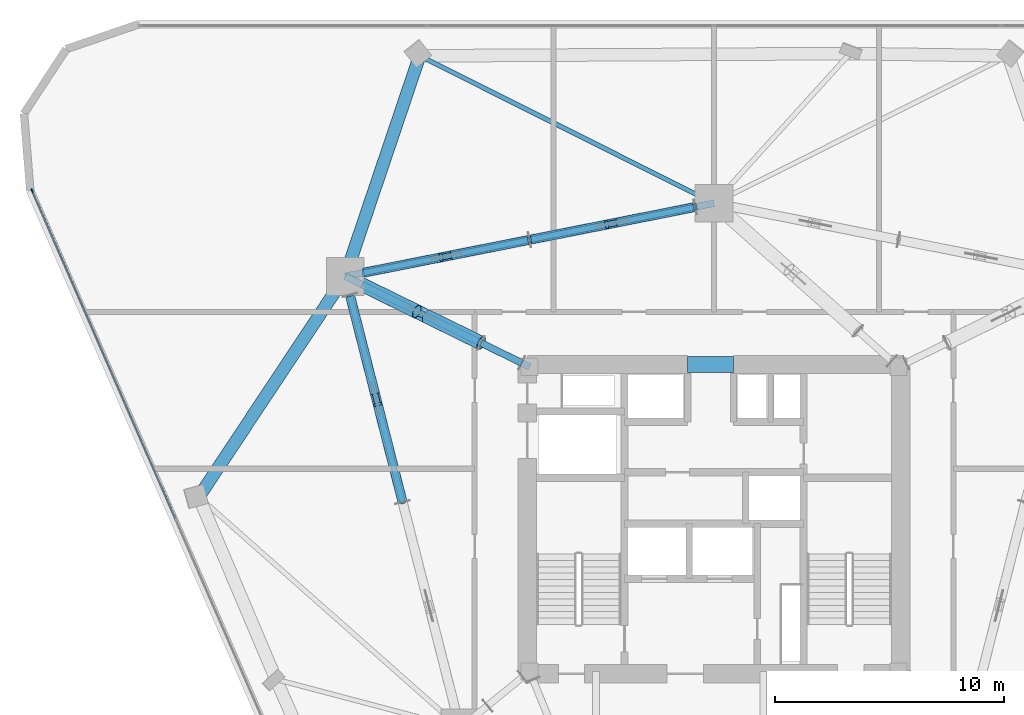
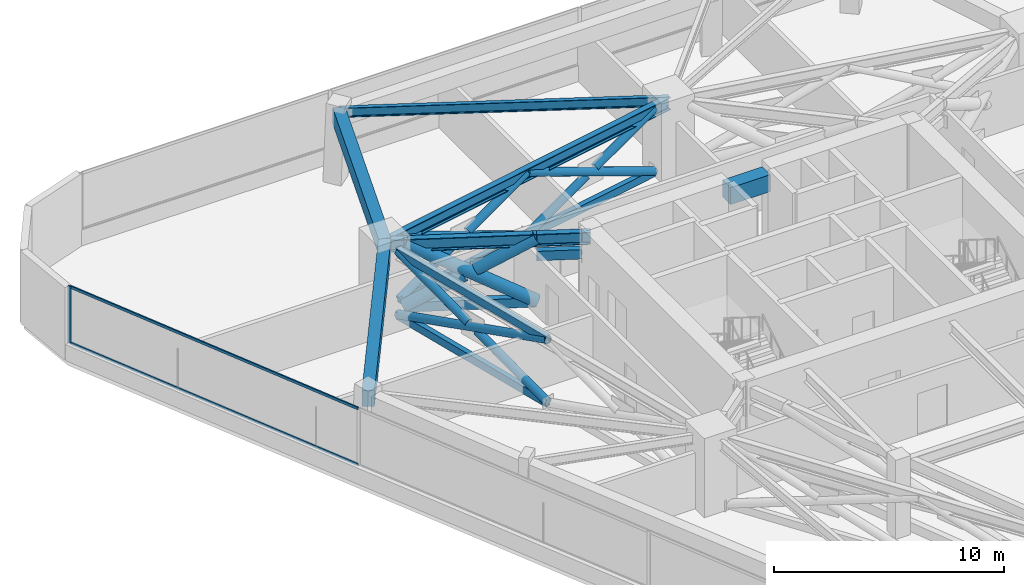
# One storey, part 5 of 15: 25 members, 6 beams, 1 element without a shape of its own.
"""IFC4 building model written with IfcOpenShell, lengths in metres."""

from ifc_helpers import new_model, si_unit, direction, frame, origin, origin_2d, place, context, subcontext, project, spatial, rectangle, hollow_rectangle, hollow_circle, i_section, extrude, material, layer, layer_set, material_profile, profile_set, type_object, element, aggregate, save


model = new_model("IFC4")

# Units and contexts
model_context = context("Model", 3, precision=1e-05, world=origin(), true_north=direction((0.0, 1.0)))
body_context = subcontext(model_context, "Body", "Model", "MODEL_VIEW")
ifc_project = project(units=[si_unit("LENGTHUNIT", "METRE"), si_unit("AREAUNIT", "SQUARE_METRE"), si_unit("VOLUMEUNIT", "CUBIC_METRE"), si_unit("PLANEANGLEUNIT", "RADIAN"), si_unit("MASSUNIT", "GRAM", prefix="KILO")], contexts=[model_context])

# Site, building, storey
site_placement = place(None, origin())
site = spatial("IfcSite", under=ifc_project, at=site_placement, CompositionType="ELEMENT")
building_placement = place(site_placement, origin())
building = spatial("IfcBuilding", under=site, at=building_placement, Name="Talyreon Biosciences Tower", CompositionType="ELEMENT")
storey_placement = place(building_placement, frame((0.0, 0.0, 118.800048828125)))
storey = spatial("IfcBuildingStorey", under=building, at=storey_placement, Name="L31", CompositionType="ELEMENT", Elevation=118.800048828125)

# Members
ifc_material_1 = material(Name="Steel SM355", Category="steel")
ifc_material_profile_1 = material_profile(ifc_material_1, hollow_circle(Radius=0.203125, WallThickness=0.01611328125, at=origin_2d()), Name="CHS 406.4x16")
ifc_profile_set_1 = profile_set([ifc_material_profile_1], Name="Steel SM355")
member_type_1 = type_object("IfcMemberType", Name="BeltBrace_CHS406", PredefinedType="BRACE", material=ifc_profile_set_1)
member_1_placement = place(storey_placement, frame((65.180908203125, 81.626708984375, 0.239990234375), z_axis=(-0.892615454611, -0.176847723158, 0.414683654132), x_axis=(0.194345495342, -0.980933141677, 0.0)))
element("IfcMember", 1, at=member_1_placement, inside=storey, type_object=member_type_1, Name="L31 Continuous Diagonal BELT-L31-B4S1A", PredefinedType="BRACE", context=body_context, shape_type="SweptSolid", body=[
    extrude(hollow_circle(Radius=0.203125, WallThickness=0.01611328125, at=origin_2d()), origin(), (0.0, 0.0, 1.0), 8.102294921875),
])
for number, where, z_axis, x_axis, name in (
    (2, (57.94873046875, 80.19384765625, 0.239990234375), (0.892611106675, 0.176800183662, 0.414713283243), (-0.194296135322, 0.980942919745, 0.0), "L31 Split Diagonal BELT-L31-B4S1B-Lower"),
    (3, (61.814697265625, 80.959716796875, 2.0361328125), (0.892624851318, 0.176867645329, 0.414654929844), (-0.194364592806, 0.980929357835, 0.0), "L31 Split Diagonal BELT-L31-B4S1B-Upper"),
):
    element("IfcMember", number, at=place(storey_placement, frame(where, z_axis=z_axis, x_axis=x_axis)), inside=storey, type_object=member_type_1, Name=name, PredefinedType="BRACE", context=body_context, shape_type="SweptSolid", body=[
        extrude(hollow_circle(Radius=0.203125, WallThickness=0.01611328125, at=origin_2d()), origin(), (0.0, 0.0, 1.0), 3.771240234375),
    ])
member_2_placement = place(storey_placement, frame((57.94873046875, 80.19384765625, 0.239990234375), z_axis=(-0.892609330302, -0.176852479898, 0.414694808035), x_axis=(0.194351808375, -0.980931890898, 0.0)))
element("IfcMember", 4, at=member_2_placement, inside=storey, type_object=member_type_1, Name="L31 Continuous Diagonal BELT-L31-B4S2A", PredefinedType="BRACE", context=body_context, shape_type="SweptSolid", body=[
    extrude(hollow_circle(Radius=0.203125, WallThickness=0.01611328125, at=origin_2d()), origin(), (0.0, 0.0, 1.0), 8.10205078125),
])
member_3_placement = place(storey_placement, frame((50.716796875, 78.760986328125, 0.239990234375), z_axis=(0.892600888389, 0.176862897235, 0.414708535757), x_axis=(-0.194364592806, 0.980929357835, 0.0)))
element("IfcMember", 5, at=member_3_placement, inside=storey, type_object=member_type_1, Name="L31 Split Diagonal BELT-L31-B4S2B-Lower", PredefinedType="BRACE", context=body_context, shape_type="SweptSolid", body=[
    extrude(hollow_circle(Radius=0.203125, WallThickness=0.01611328125, at=origin_2d()), origin(), (0.0, 0.0, 1.0), 3.771240234375),
])
member_4_placement = place(storey_placement, frame((54.582763671875, 79.52685546875, 2.0361328125), z_axis=(0.89261169381, 0.176877866649, 0.414678893077), x_axis=(-0.194378157845, 0.980926669916, 0.0)))
element("IfcMember", 6, at=member_4_placement, inside=storey, type_object=member_type_1, Name="L31 Split Diagonal BELT-L31-B4S2B-Upper", PredefinedType="BRACE", context=body_context, shape_type="SweptSolid", body=[
    extrude(hollow_circle(Radius=0.203125, WallThickness=0.01611328125, at=origin_2d()), origin(), (0.0, 0.0, 1.0), 3.77099609375),
])
member_5_placement = place(storey_placement, frame((50.103515625, 77.78955078125, 0.239990234375), z_axis=(0.231979912328, -0.911904917295, 0.338547990823), x_axis=(0.969133072128, 0.24653820902, 0.0)))
element("IfcMember", 7, at=member_5_placement, inside=storey, type_object=member_type_1, Name="L31 Continuous Diagonal BELT-L31-B5S1A", PredefinedType="BRACE", context=body_context, shape_type="SweptSolid", body=[
    extrude(hollow_circle(Radius=0.203125, WallThickness=0.01611328125, at=origin_2d()), origin(), (0.0, 0.0, 1.0), 9.92431640625),
])
for number, where, z_axis, x_axis, name in (
    (8, (52.40576171875, 68.739501953125, 0.239990234375), (-0.231977600351, 0.911902956292, 0.338554857065), (-0.969133532519, -0.246536399233, 0.0), "L31 Split Diagonal BELT-L31-B5S1B-Lower"),
    (9, (51.189697265625, 73.519775390625, 2.0146484375), (-0.231977600351, 0.911902956292, 0.338554857065), (-0.969133532519, -0.246536399233, 0.0), "L31 Split Diagonal BELT-L31-B5S1B-Upper"),
):
    element("IfcMember", number, at=place(storey_placement, frame(where, z_axis=z_axis, x_axis=x_axis)), inside=storey, type_object=member_type_1, Name=name, PredefinedType="BRACE", context=body_context, shape_type="SweptSolid", body=[
        extrude(hollow_circle(Radius=0.203125, WallThickness=0.01611328125, at=origin_2d()), origin(), (0.0, 0.0, 1.0), 4.682373046875),
    ])
ifc_material_profile_2 = material_profile(ifc_material_1, hollow_rectangle(XDim=0.25, YDim=0.39990234375, WallThickness=0.01611328125, at=origin_2d()), Name="RHS 400x250x16")
ifc_profile_set_2 = profile_set([ifc_material_profile_2], Name="Steel SM355")
member_type_2 = type_object("IfcMemberType", Name="BeltChord_RHS400x250", PredefinedType="CHORD", material=ifc_profile_set_2)
for number, where, z_axis, x_axis, name in (
    (10, (65.180908203125, 81.626708984375, 0.239990234375), (-0.980933141677, -0.194345495342, 0.0), (0.194345495342, -0.980933141677, 0.0), "L31 Truss Bottom Chord BELT-L31-B4S1"),
    (11, (65.180908203125, 81.626708984375, 3.599853515625), (-0.980933141677, -0.194345495342, 0.0), (0.194345495342, -0.980933141677, 0.0), "L31 Truss Top Chord BELT-L31-B4S1"),
):
    element("IfcMember", number, at=place(storey_placement, frame(where, z_axis=z_axis, x_axis=x_axis)), inside=storey, type_object=member_type_2, Name=name, PredefinedType="CHORD", context=body_context, shape_type="SweptSolid", body=[
        extrude(hollow_rectangle(XDim=0.25, YDim=0.39990234375, WallThickness=0.01611328125, at=origin_2d()), origin(), (0.0, 0.0, 1.0), 7.372802734375),
    ])
for number, where, z_axis, x_axis, name in (
    (12, (57.94873046875, 80.19384765625, 0.239990234375), (-0.980931890898, -0.194351808375, 0.0), (0.194351808375, -0.980931890898, 0.0), "L31 Truss Bottom Chord BELT-L31-B4S2"),
    (13, (57.94873046875, 80.19384765625, 3.599853515625), (-0.980931890898, -0.194351808375, 0.0), (0.194351808375, -0.980931890898, 0.0), "L31 Truss Top Chord BELT-L31-B4S2"),
):
    element("IfcMember", number, at=place(storey_placement, frame(where, z_axis=z_axis, x_axis=x_axis)), inside=storey, type_object=member_type_2, Name=name, PredefinedType="CHORD", context=body_context, shape_type="SweptSolid", body=[
        extrude(hollow_rectangle(XDim=0.25, YDim=0.39990234375, WallThickness=0.01611328125, at=origin_2d()), origin(), (0.0, 0.0, 1.0), 7.37255859375),
    ])
for number, where, z_axis, x_axis, name in (
    (14, (50.103515625, 77.78955078125, 0.239990234375), (0.24653820902, -0.969133072128, 0.0), (0.969133072128, 0.24653820902, 0.0), "L31 Truss Bottom Chord BELT-L31-B5S1"),
    (15, (50.103515625, 77.78955078125, 3.599853515625), (0.24653820902, -0.969133072128, 0.0), (0.969133072128, 0.24653820902, 0.0), "L31 Truss Top Chord BELT-L31-B5S1"),
):
    element("IfcMember", number, at=place(storey_placement, frame(where, z_axis=z_axis, x_axis=x_axis)), inside=storey, type_object=member_type_2, Name=name, PredefinedType="CHORD", context=body_context, shape_type="SweptSolid", body=[
        extrude(hollow_rectangle(XDim=0.25, YDim=0.39990234375, WallThickness=0.01611328125, at=origin_2d()), origin(), (0.0, 0.0, 1.0), 9.33837890625),
    ])

# Curtain wall, members
ifc_material_2 = material(Name="Thermally broken aluminium and low-E glazing", Category="aluminium")
ifc_layer = layer(ifc_material_2, 0.18994140625)
ifc_layer_set = layer_set([ifc_layer], Name="Thermally broken aluminium and low-E glazing")
curtain_wall_type = type_object("IfcCurtainWallType", Name="CurtainWall_Zone2Genomics", PredefinedType="NOTDEFINED", material=ifc_layer_set)
curtain_wall_placement = place(storey_placement, origin())
curtain_wall = element("IfcCurtainWall", 16, at=curtain_wall_placement, inside=storey, type_object=curtain_wall_type, Name="L31 Unitised Curtain Wall FCW-L31-00", PredefinedType="NOTDEFINED")
ifc_material_3 = material(Name="Anodised thermally broken aluminium", Category="aluminium")
ifc_material_profile_3 = material_profile(ifc_material_3, rectangle(XDim=0.06494140625, YDim=0.179931640625, at=origin_2d()), Name="ALUM MULLION 65x180")
ifc_profile_set_3 = profile_set([ifc_material_profile_3], Name="Anodised thermally broken aluminium")
member_type_3 = type_object("IfcMemberType", Name="CWMullion_65x180", PredefinedType="MULLION", material=ifc_profile_set_3)
member_6_placement = place(storey_placement, frame((36.232421875, 82.3408203125, 0.81005859375), z_axis=(0.0, 0.0, 1.0), x_axis=(-0.916416470178, -0.400226002637, 0.0)))
member_6 = element("IfcMember", 17, at=member_6_placement, type_object=member_type_3, Name="CW3 mullion 5", PredefinedType="MULLION", context=body_context, shape_type="SweptSolid", body=[
    extrude(rectangle(XDim=0.06494140625, YDim=0.179931640625, at=origin_2d()), origin(), (0.0, 0.0, 1.0), 3.039794921875),
])
ifc_material_profile_4 = material_profile(ifc_material_3, rectangle(XDim=0.06494140625, YDim=0.139892578125, at=origin_2d()), Name="ALUM TRANSOM 65x140")
ifc_profile_set_4 = profile_set([ifc_material_profile_4], Name="Anodised thermally broken aluminium")
member_type_4 = type_object("IfcMemberType", Name="CWTransom_65x140", PredefinedType="USERDEFINED", material=ifc_profile_set_4)
member_7_placement = place(storey_placement, frame((42.478515625, 68.038818359375, 0.842529296875), z_axis=(-0.400215954954, 0.916420858231, 0.0), x_axis=(-0.916420858231, -0.400215954954, 0.0)))
member_7 = element("IfcMember", 18, at=member_7_placement, type_object=member_type_4, Name="CW3 transom 4.1", ObjectType="TRANSOM", PredefinedType="USERDEFINED", context=body_context, shape_type="SweptSolid", body=[
    extrude(rectangle(XDim=0.06494140625, YDim=0.139892578125, at=origin_2d()), origin(), (0.0, 0.0, 1.0), 15.573974609375),
])
member_8_placement = place(storey_placement, frame((42.478515625, 68.038818359375, 3.8173828125), z_axis=(-0.400215954954, 0.916420858231, 0.0), x_axis=(-0.916420858231, -0.400215954954, 0.0)))
member_8 = element("IfcMember", 19, at=member_8_placement, type_object=member_type_4, Name="CW3 transom 4.2", ObjectType="TRANSOM", PredefinedType="USERDEFINED", context=body_context, shape_type="SweptSolid", body=[
    extrude(rectangle(XDim=0.06494140625, YDim=0.139892578125, at=origin_2d()), origin(), (0.0, 0.0, 1.0), 15.573974609375),
])
aggregate(curtain_wall, [member_6, member_7, member_8])

# Beams
ifc_material_4 = material(Name="Concrete C60/75", Category="concrete")
ifc_material_profile_5 = material_profile(ifc_material_4, rectangle(XDim=0.699951171875, YDim=0.89990234375, at=origin_2d()), Name="RCB 700x900")
ifc_profile_set_5 = profile_set([ifc_material_profile_5], Name="Concrete C60/75")
beam_type_1 = type_object("IfcBeamType", Name="CoreCouplingLintel_700x900", PredefinedType="LINTEL", material=ifc_profile_set_5)
beam_1_placement = place(storey_placement, frame((64.85009765625, 74.75, 3.39990234375), z_axis=(1.0, 0.0, 0.0), x_axis=(0.0, 1.0, 0.0)))
element("IfcBeam", 20, at=beam_1_placement, inside=storey, type_object=beam_type_1, Name="L31 Core Coupling Lintel", PredefinedType="LINTEL", context=body_context, shape_type="SweptSolid", body=[
    extrude(rectangle(XDim=0.699951171875, YDim=0.89990234375, at=origin_2d()), origin(), (0.0, 0.0, 1.0), 2.0),
])
ifc_material_5 = material(Name="Precast concrete C45/55", Category="concrete")
ifc_material_profile_6 = material_profile(ifc_material_5, rectangle(XDim=0.550048828125, YDim=0.85009765625, at=origin_2d()), Name="RCB 550x850")
ifc_profile_set_6 = profile_set([ifc_material_profile_6], Name="Precast concrete C45/55")
beam_type_2 = type_object("IfcBeamType", Name="ExpressedSpandrel_550x850", PredefinedType="SPANDREL", material=ifc_profile_set_6)
beam_2_placement = place(storey_placement, frame((53.14990234375, 88.225341796875, 3.425048828125), z_axis=(-0.320059846085, -0.947397326851, 0.0), x_axis=(0.947397326851, -0.320059846085, 0.0)))
element("IfcBeam", 21, at=beam_2_placement, inside=storey, type_object=beam_type_2, Name="L31 Expressed Horizontal Concrete Spandrel 08", PredefinedType="SPANDREL", context=body_context, shape_type="SweptSolid", body=[
    extrude(rectangle(XDim=0.550048828125, YDim=0.85009765625, at=origin_2d()), origin(), (0.0, 0.0, 1.0), 10.1611328125),
])
beam_3_placement = place(storey_placement, frame((49.897705078125, 78.5986328125, 3.425048828125), z_axis=(-0.552982839126, -0.83319264257, 0.0), x_axis=(0.83319264257, -0.552982839126, 0.0)))
element("IfcBeam", 22, at=beam_3_placement, inside=storey, type_object=beam_type_2, Name="L31 Expressed Horizontal Concrete Spandrel 09", PredefinedType="SPANDREL", context=body_context, shape_type="SweptSolid", body=[
    extrude(rectangle(XDim=0.550048828125, YDim=0.85009765625, at=origin_2d()), origin(), (0.0, 0.0, 1.0), 11.5556640625),
])

# Members
ifc_material_profile_7 = material_profile(ifc_material_1, hollow_circle(Radius=0.304931640625, WallThickness=0.02490234375, at=origin_2d()), Name="CHS 610x25")
ifc_profile_set_7 = profile_set([ifc_material_profile_7], Name="Steel SM355")
member_type_5 = type_object("IfcMemberType", Name="OutriggerBrace_CHS610", PredefinedType="BRACE", material=ifc_profile_set_7)
member_9_placement = place(storey_placement, frame((55.840087890625, 75.684814453125, 0.239990234375), z_axis=(-0.77636504661, 0.380699926476, 0.502319500303), x_axis=(-0.440277334471, -0.897861831659, 0.0)))
element("IfcMember", 23, at=member_9_placement, inside=storey, type_object=member_type_5, Name="L31 Continuous Diagonal OUT-L31-R5A", PredefinedType="BRACE", context=body_context, shape_type="SweptSolid", body=[
    extrude(hollow_circle(Radius=0.304931640625, WallThickness=0.02490234375, at=origin_2d()), origin(), (0.0, 0.0, 1.0), 6.688720703125),
])
member_10_placement = place(storey_placement, frame((50.647216796875, 78.231201171875, 0.239990234375), z_axis=(0.776359983648, -0.380731078692, 0.502303714408), x_axis=(0.440308692184, 0.897846454349, 0.0)))
element("IfcMember", 24, at=member_10_placement, inside=storey, type_object=member_type_5, Name="L31 Split Diagonal OUT-L31-R5B-Lower", PredefinedType="BRACE", context=body_context, shape_type="SweptSolid", body=[
    extrude(hollow_circle(Radius=0.304931640625, WallThickness=0.02490234375, at=origin_2d()), origin(), (0.0, 0.0, 1.0), 3.064453125),
])
member_11_placement = place(storey_placement, frame((53.461181640625, 76.851318359375, 2.060546875), z_axis=(0.776351880615, -0.380686503036, 0.502350021272), x_axis=(0.440270838576, 0.897865016971, 0.0)))
element("IfcMember", 25, at=member_11_placement, inside=storey, type_object=member_type_5, Name="L31 Split Diagonal OUT-L31-R5B-Upper", PredefinedType="BRACE", context=body_context, shape_type="SweptSolid", body=[
    extrude(hollow_circle(Radius=0.304931640625, WallThickness=0.02490234375, at=origin_2d()), origin(), (0.0, 0.0, 1.0), 3.064208984375),
])
ifc_material_profile_8 = material_profile(ifc_material_1, hollow_rectangle(XDim=0.300048828125, YDim=0.5, WallThickness=0.02001953125, at=origin_2d()), Name="RHS 500x300x20")
ifc_profile_set_8 = profile_set([ifc_material_profile_8], Name="Steel SM355")
member_type_6 = type_object("IfcMemberType", Name="OutriggerChord_RHS500x300", PredefinedType="CHORD", material=ifc_profile_set_8)
for number, where, z_axis, x_axis, name in (
    (26, (57.604248046875, 74.819580078125, 3.599853515625), (-0.897830193079, 0.44034184947, 0.0), (-0.44034184947, -0.897830193079, 0.0), "L31 Outrigger Core Top Tie 5"),
    (27, (57.604248046875, 74.819580078125, 2.699951171875), (-0.897830193079, 0.44034184947, 0.0), (-0.44034184947, -0.897830193079, 0.0), "L31 Outrigger Core Plenum Tie 5"),
):
    element("IfcMember", number, at=place(storey_placement, frame(where, z_axis=z_axis, x_axis=x_axis)), inside=storey, type_object=member_type_6, Name=name, PredefinedType="CHORD", context=body_context, shape_type="SweptSolid", body=[
        extrude(hollow_rectangle(XDim=0.300048828125, YDim=0.5, WallThickness=0.02001953125, at=origin_2d()), origin(), (0.0, 0.0, 1.0), 1.96484375),
    ])
for number, where, z_axis, x_axis, name in (
    (28, (55.840087890625, 75.684814453125, 0.239990234375), (-0.897861831659, 0.440277334471, 0.0), (-0.440277334471, -0.897861831659, 0.0), "L31 Truss Bottom Chord OUT-L31-R5"),
    (29, (55.840087890625, 75.684814453125, 3.599853515625), (-0.897861831659, 0.440277334471, 0.0), (-0.440277334471, -0.897861831659, 0.0), "L31 Truss Top Chord OUT-L31-R5"),
):
    element("IfcMember", number, at=place(storey_placement, frame(where, z_axis=z_axis, x_axis=x_axis)), inside=storey, type_object=member_type_6, Name=name, PredefinedType="CHORD", context=body_context, shape_type="SweptSolid", body=[
        extrude(hollow_rectangle(XDim=0.300048828125, YDim=0.5, WallThickness=0.02001953125, at=origin_2d()), origin(), (0.0, 0.0, 1.0), 5.78369140625),
    ])

# Beams
ifc_material_profile_9 = material_profile(ifc_material_1, i_section(OverallWidth=0.300048828125, OverallDepth=0.64990234375, WebThickness=0.01611328125, FlangeThickness=0.031005859375, FilletRadius=0.027099609375, at=origin_2d()), Name="HE650B")
ifc_profile_set_9 = profile_set([ifc_material_profile_9], Name="Steel SM355")
beam_type_3 = type_object("IfcBeamType", Name="SteelBeam_HE650B", PredefinedType="BEAM", material=ifc_profile_set_9)
beam_4_placement = place(storey_placement, frame((66.0, 81.788818359375, 3.52490234375), z_axis=(-0.980933730698, -0.194342522311, 0.0), x_axis=(0.194342522311, -0.980933730698, 0.0)))
element("IfcBeam", 30, at=beam_4_placement, inside=storey, type_object=beam_type_3, Name="L31 Mega-Ring Girder 4", PredefinedType="BEAM", context=body_context, shape_type="SweptSolid", body=[
    extrude(i_section(OverallWidth=0.300048828125, OverallDepth=0.64990234375, WebThickness=0.01611328125, FlangeThickness=0.031005859375, FilletRadius=0.027099609375, at=origin_2d()), origin(), (0.0, 0.0, 1.0), 16.415283203125),
])
beam_5_placement = place(storey_placement, frame((57.949951171875, 74.64990234375, 3.52490234375), z_axis=(-0.897852360314, 0.440296648952, 0.0), x_axis=(-0.440296648952, -0.897852360314, 0.0)))
element("IfcBeam", 31, at=beam_5_placement, inside=storey, type_object=beam_type_3, Name="L31 Radial Primary Girder 5", PredefinedType="BEAM", context=body_context, shape_type="SweptSolid", body=[
    extrude(i_section(OverallWidth=0.300048828125, OverallDepth=0.64990234375, WebThickness=0.01611328125, FlangeThickness=0.031005859375, FilletRadius=0.027099609375, at=origin_2d()), origin(), (0.0, 0.0, 1.0), 8.96826171875),
])
ifc_material_profile_10 = material_profile(ifc_material_1, i_section(OverallWidth=0.199951171875, OverallDepth=0.5, WebThickness=0.01025390625, FlangeThickness=0.01611328125, FilletRadius=0.02099609375, at=origin_2d()), Name="IPE500")
ifc_profile_set_10 = profile_set([ifc_material_profile_10], Name="Steel SM355")
beam_type_4 = type_object("IfcBeamType", Name="SteelJoist_IPE500", PredefinedType="JOIST", material=ifc_profile_set_10)
beam_6_placement = place(storey_placement, frame((66.0, 81.788818359375, 3.599853515625), z_axis=(-0.894107602396, 0.44785220256, 0.0), x_axis=(-0.44785220256, -0.894107602396, 0.0)))
element("IfcBeam", 32, at=beam_6_placement, inside=storey, type_object=beam_type_4, Name="L31 Radial Composite Floor Joist PC-N2", PredefinedType="JOIST", context=body_context, shape_type="SweptSolid", body=[
    extrude(i_section(OverallWidth=0.199951171875, OverallDepth=0.5, WebThickness=0.01025390625, FlangeThickness=0.01611328125, FilletRadius=0.02099609375, at=origin_2d()), origin(), (0.0, 0.0, 1.0), 14.3720703125),
])

save(model, "model.ifc")
